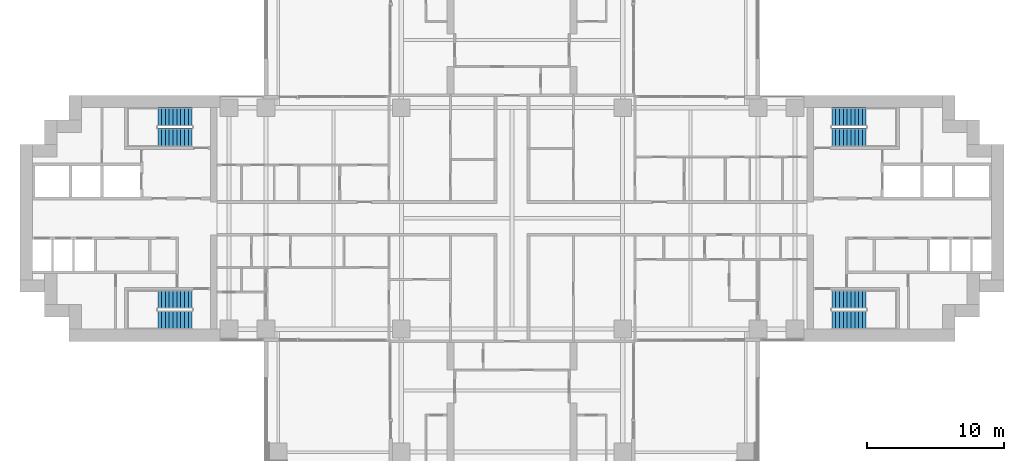
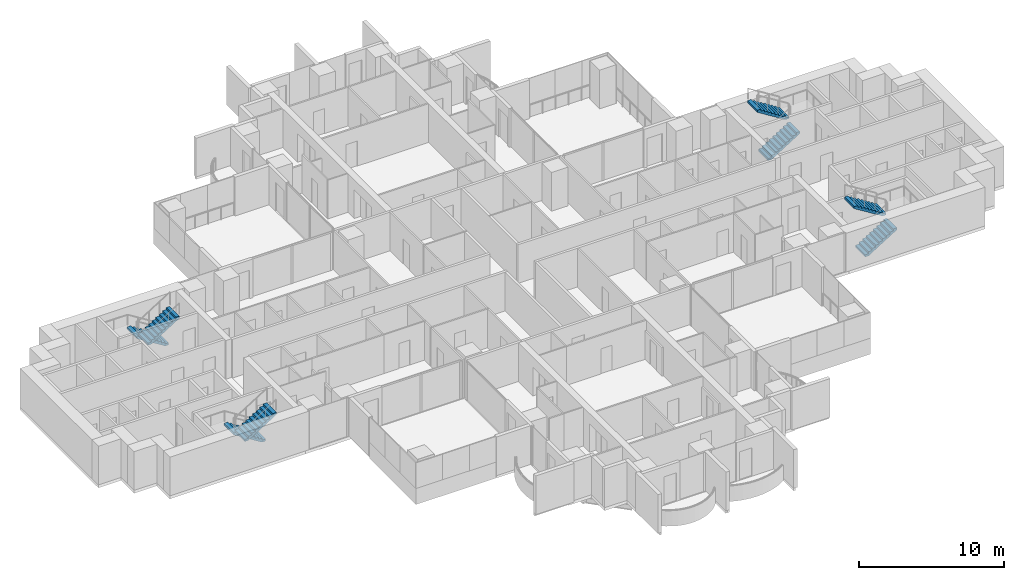
# One storey, part 17 of 21: 8 stair flights, 4 elements without a shape of their own.
"""IFC4 building model written with IfcOpenShell, lengths in metres."""

from ifc_helpers import new_model, si_unit, direction, frame, origin, place, context, subcontext, project, spatial, polyline, outline, extrude, material, type_object, element, aggregate, save


model = new_model("IFC4")

# Units and contexts
model_context = context("Model", 3, precision=1e-05, world=origin(), true_north=direction((0.0, 1.0)))
body_context = subcontext(model_context, "Body", "Model", "MODEL_VIEW")
ifc_project = project(units=[si_unit("LENGTHUNIT", "METRE"), si_unit("AREAUNIT", "SQUARE_METRE"), si_unit("VOLUMEUNIT", "CUBIC_METRE"), si_unit("PLANEANGLEUNIT", "RADIAN"), si_unit("MASSUNIT", "GRAM", prefix="KILO")], contexts=[model_context])

# Site, building, storey
site_placement = place(None, origin())
site = spatial("IfcSite", under=ifc_project, at=site_placement, CompositionType="ELEMENT")
building_placement = place(site_placement, origin())
building = spatial("IfcBuilding", under=site, at=building_placement, Name="Perihelion Cross Residences", CompositionType="ELEMENT")
storey_placement = place(building_placement, frame((0.0, 0.0, 57.5)))
storey = spatial("IfcBuildingStorey", under=building, at=storey_placement, Name="L11", CompositionType="ELEMENT", Elevation=57.5)

# Stair, stair flights
ifc_material_1 = material(Name="Concrete C40/50", Category="concrete")
stair_type = type_object("IfcStairType", Name="Exit stair, half-turn", PredefinedType="HALF_TURN_STAIR", material=ifc_material_1)
stair_1_placement = place(storey_placement, origin())
stair_1 = element("IfcStair", 1, at=stair_1_placement, inside=storey, type_object=stair_type, Name="L11 East core exit stair 1", PredefinedType="HALF_TURN_STAIR")
ifc_material_2 = material(Name="Concrete C40/50", Category="concrete")
stair_flight_type = type_object("IfcStairFlightType", Name="Exit stair flight", PredefinedType="STRAIGHT", material=ifc_material_2)
stair_flight_1_placement = place(storey_placement, frame((23.39990234375, 5.925048828125, 0.0), z_axis=(0.0, 0.0, 1.0), x_axis=(1.0, 0.0, 0.0)))
stair_flight_1 = element("IfcStairFlight", 2, at=stair_flight_1_placement, type_object=stair_flight_type, Name="ST-E1 flight 1", NumberOfRisers=10, NumberOfTreads=9, PredefinedType="STRAIGHT", RiserHeight=0.175, TreadLength=0.28, context=body_context, shape_type="SweptSolid", body=[
    extrude(outline(polyline([(0.0, 0.0), (0.0, 0.175048828125), (0.280029296875, 0.175048828125), (0.280029296875, 0.35009765625), (0.56005859375, 0.35009765625), (0.56005859375, 0.52490234375), (0.840087890625, 0.52490234375), (0.840087890625, 0.699951171875), (1.1201171875, 0.699951171875), (1.1201171875, 0.875), (1.39990234375, 0.875), (1.39990234375, 1.050048828125), (1.679931640625, 1.050048828125), (1.679931640625, 1.22509765625), (1.9599609375, 1.22509765625), (1.9599609375, 1.39990234375), (2.239990234375, 1.39990234375), (2.239990234375, 1.574951171875), (2.52001953125, 1.574951171875), (2.52001953125, 1.75), (2.52001953125, 1.398193359375), (0.28271484375, 0.0), (0.0, 0.0)])), frame((0.0, 0.675048828125, 0.0), z_axis=(0.0, -1.0, 0.0), x_axis=(1.0, 0.0, 0.0)), (0.0, 0.0, 1.0), 1.35009765625),
])
stair_flight_2_placement = place(storey_placement, frame((25.919921875, 7.425048828125, 1.75), z_axis=(0.0, 0.0, 1.0), x_axis=(-1.0, 0.0, 0.0)))
stair_flight_2 = element("IfcStairFlight", 3, at=stair_flight_2_placement, type_object=stair_flight_type, Name="ST-E1 flight 2", NumberOfRisers=10, NumberOfTreads=9, PredefinedType="STRAIGHT", RiserHeight=0.175, TreadLength=0.28, context=body_context, shape_type="SweptSolid", body=[
    extrude(outline(polyline([(0.0, 0.0), (0.0, 0.175048828125), (0.280029296875, 0.175048828125), (0.280029296875, 0.35009765625), (0.56005859375, 0.35009765625), (0.56005859375, 0.52490234375), (0.840087890625, 0.52490234375), (0.840087890625, 0.699951171875), (1.1201171875, 0.699951171875), (1.1201171875, 0.875), (1.39990234375, 0.875), (1.39990234375, 1.050048828125), (1.679931640625, 1.050048828125), (1.679931640625, 1.22509765625), (1.9599609375, 1.22509765625), (1.9599609375, 1.39990234375), (2.239990234375, 1.39990234375), (2.239990234375, 1.574951171875), (2.52001953125, 1.574951171875), (2.52001953125, 1.75), (2.52001953125, 1.398193359375), (0.28271484375, 0.0), (0.0, 0.0)])), frame((0.0, 0.675048828125, 0.0), z_axis=(0.0, -1.0, 0.0), x_axis=(1.0, 0.0, 0.0)), (0.0, 0.0, 1.0), 1.35009765625),
])
aggregate(stair_1, [stair_flight_1, stair_flight_2])

stair_2_placement = place(storey_placement, origin())
stair_2 = element("IfcStair", 4, at=stair_2_placement, inside=storey, type_object=stair_type, Name="L11 East core exit stair 2", PredefinedType="HALF_TURN_STAIR")
stair_flight_3_placement = place(storey_placement, frame((23.39990234375, -7.425048828125, 0.0), z_axis=(0.0, 0.0, 1.0), x_axis=(1.0, 0.0, 0.0)))
stair_flight_3 = element("IfcStairFlight", 5, at=stair_flight_3_placement, type_object=stair_flight_type, Name="ST-E2 flight 1", NumberOfRisers=10, NumberOfTreads=9, PredefinedType="STRAIGHT", RiserHeight=0.175, TreadLength=0.28, context=body_context, shape_type="SweptSolid", body=[
    extrude(outline(polyline([(0.0, 0.0), (0.0, 0.175048828125), (0.280029296875, 0.175048828125), (0.280029296875, 0.35009765625), (0.56005859375, 0.35009765625), (0.56005859375, 0.52490234375), (0.840087890625, 0.52490234375), (0.840087890625, 0.699951171875), (1.1201171875, 0.699951171875), (1.1201171875, 0.875), (1.39990234375, 0.875), (1.39990234375, 1.050048828125), (1.679931640625, 1.050048828125), (1.679931640625, 1.22509765625), (1.9599609375, 1.22509765625), (1.9599609375, 1.39990234375), (2.239990234375, 1.39990234375), (2.239990234375, 1.574951171875), (2.52001953125, 1.574951171875), (2.52001953125, 1.75), (2.52001953125, 1.398193359375), (0.28271484375, 0.0), (0.0, 0.0)])), frame((0.0, 0.675048828125, 0.0), z_axis=(0.0, -1.0, 0.0), x_axis=(1.0, 0.0, 0.0)), (0.0, 0.0, 1.0), 1.35009765625),
])
stair_flight_4_placement = place(storey_placement, frame((25.919921875, -5.925048828125, 1.75), z_axis=(0.0, 0.0, 1.0), x_axis=(-1.0, 0.0, 0.0)))
stair_flight_4 = element("IfcStairFlight", 6, at=stair_flight_4_placement, type_object=stair_flight_type, Name="ST-E2 flight 2", NumberOfRisers=10, NumberOfTreads=9, PredefinedType="STRAIGHT", RiserHeight=0.175, TreadLength=0.28, context=body_context, shape_type="SweptSolid", body=[
    extrude(outline(polyline([(0.0, 0.0), (0.0, 0.175048828125), (0.280029296875, 0.175048828125), (0.280029296875, 0.35009765625), (0.56005859375, 0.35009765625), (0.56005859375, 0.52490234375), (0.840087890625, 0.52490234375), (0.840087890625, 0.699951171875), (1.1201171875, 0.699951171875), (1.1201171875, 0.875), (1.39990234375, 0.875), (1.39990234375, 1.050048828125), (1.679931640625, 1.050048828125), (1.679931640625, 1.22509765625), (1.9599609375, 1.22509765625), (1.9599609375, 1.39990234375), (2.239990234375, 1.39990234375), (2.239990234375, 1.574951171875), (2.52001953125, 1.574951171875), (2.52001953125, 1.75), (2.52001953125, 1.398193359375), (0.28271484375, 0.0), (0.0, 0.0)])), frame((0.0, 0.675048828125, 0.0), z_axis=(0.0, -1.0, 0.0), x_axis=(1.0, 0.0, 0.0)), (0.0, 0.0, 1.0), 1.35009765625),
])
aggregate(stair_2, [stair_flight_3, stair_flight_4])

stair_3_placement = place(storey_placement, origin())
stair_3 = element("IfcStair", 7, at=stair_3_placement, inside=storey, type_object=stair_type, Name="L11 West core exit stair 1", PredefinedType="HALF_TURN_STAIR")
stair_flight_5_placement = place(storey_placement, frame((-23.39990234375, 7.425048828125, 0.0), z_axis=(0.0, 0.0, 1.0), x_axis=(-1.0, 0.0, 0.0)))
stair_flight_5 = element("IfcStairFlight", 8, at=stair_flight_5_placement, type_object=stair_flight_type, Name="ST-W1 flight 1", NumberOfRisers=10, NumberOfTreads=9, PredefinedType="STRAIGHT", RiserHeight=0.175, TreadLength=0.28, context=body_context, shape_type="SweptSolid", body=[
    extrude(outline(polyline([(0.0, 0.0), (0.0, 0.175048828125), (0.280029296875, 0.175048828125), (0.280029296875, 0.35009765625), (0.56005859375, 0.35009765625), (0.56005859375, 0.52490234375), (0.840087890625, 0.52490234375), (0.840087890625, 0.699951171875), (1.1201171875, 0.699951171875), (1.1201171875, 0.875), (1.39990234375, 0.875), (1.39990234375, 1.050048828125), (1.679931640625, 1.050048828125), (1.679931640625, 1.22509765625), (1.9599609375, 1.22509765625), (1.9599609375, 1.39990234375), (2.239990234375, 1.39990234375), (2.239990234375, 1.574951171875), (2.52001953125, 1.574951171875), (2.52001953125, 1.75), (2.52001953125, 1.398193359375), (0.28271484375, 0.0), (0.0, 0.0)])), frame((0.0, 0.675048828125, 0.0), z_axis=(0.0, -1.0, 0.0), x_axis=(1.0, 0.0, 0.0)), (0.0, 0.0, 1.0), 1.35009765625),
])
stair_flight_6_placement = place(storey_placement, frame((-25.919921875, 5.925048828125, 1.75), z_axis=(0.0, 0.0, 1.0), x_axis=(1.0, 0.0, 0.0)))
stair_flight_6 = element("IfcStairFlight", 9, at=stair_flight_6_placement, type_object=stair_flight_type, Name="ST-W1 flight 2", NumberOfRisers=10, NumberOfTreads=9, PredefinedType="STRAIGHT", RiserHeight=0.175, TreadLength=0.28, context=body_context, shape_type="SweptSolid", body=[
    extrude(outline(polyline([(0.0, 0.0), (0.0, 0.175048828125), (0.280029296875, 0.175048828125), (0.280029296875, 0.35009765625), (0.56005859375, 0.35009765625), (0.56005859375, 0.52490234375), (0.840087890625, 0.52490234375), (0.840087890625, 0.699951171875), (1.1201171875, 0.699951171875), (1.1201171875, 0.875), (1.39990234375, 0.875), (1.39990234375, 1.050048828125), (1.679931640625, 1.050048828125), (1.679931640625, 1.22509765625), (1.9599609375, 1.22509765625), (1.9599609375, 1.39990234375), (2.239990234375, 1.39990234375), (2.239990234375, 1.574951171875), (2.52001953125, 1.574951171875), (2.52001953125, 1.75), (2.52001953125, 1.398193359375), (0.28271484375, 0.0), (0.0, 0.0)])), frame((0.0, 0.675048828125, 0.0), z_axis=(0.0, -1.0, 0.0), x_axis=(1.0, 0.0, 0.0)), (0.0, 0.0, 1.0), 1.35009765625),
])
aggregate(stair_3, [stair_flight_5, stair_flight_6])

stair_4_placement = place(storey_placement, origin())
stair_4 = element("IfcStair", 10, at=stair_4_placement, inside=storey, type_object=stair_type, Name="L11 West core exit stair 2", PredefinedType="HALF_TURN_STAIR")
stair_flight_7_placement = place(storey_placement, frame((-23.39990234375, -5.925048828125, 0.0), z_axis=(0.0, 0.0, 1.0), x_axis=(-1.0, 0.0, 0.0)))
stair_flight_7 = element("IfcStairFlight", 11, at=stair_flight_7_placement, type_object=stair_flight_type, Name="ST-W2 flight 1", NumberOfRisers=10, NumberOfTreads=9, PredefinedType="STRAIGHT", RiserHeight=0.175, TreadLength=0.28, context=body_context, shape_type="SweptSolid", body=[
    extrude(outline(polyline([(0.0, 0.0), (0.0, 0.175048828125), (0.280029296875, 0.175048828125), (0.280029296875, 0.35009765625), (0.56005859375, 0.35009765625), (0.56005859375, 0.52490234375), (0.840087890625, 0.52490234375), (0.840087890625, 0.699951171875), (1.1201171875, 0.699951171875), (1.1201171875, 0.875), (1.39990234375, 0.875), (1.39990234375, 1.050048828125), (1.679931640625, 1.050048828125), (1.679931640625, 1.22509765625), (1.9599609375, 1.22509765625), (1.9599609375, 1.39990234375), (2.239990234375, 1.39990234375), (2.239990234375, 1.574951171875), (2.52001953125, 1.574951171875), (2.52001953125, 1.75), (2.52001953125, 1.398193359375), (0.28271484375, 0.0), (0.0, 0.0)])), frame((0.0, 0.675048828125, 0.0), z_axis=(0.0, -1.0, 0.0), x_axis=(1.0, 0.0, 0.0)), (0.0, 0.0, 1.0), 1.35009765625),
])
stair_flight_8_placement = place(storey_placement, frame((-25.919921875, -7.425048828125, 1.75), z_axis=(0.0, 0.0, 1.0), x_axis=(1.0, 0.0, 0.0)))
stair_flight_8 = element("IfcStairFlight", 12, at=stair_flight_8_placement, type_object=stair_flight_type, Name="ST-W2 flight 2", NumberOfRisers=10, NumberOfTreads=9, PredefinedType="STRAIGHT", RiserHeight=0.175, TreadLength=0.28, context=body_context, shape_type="SweptSolid", body=[
    extrude(outline(polyline([(0.0, 0.0), (0.0, 0.175048828125), (0.280029296875, 0.175048828125), (0.280029296875, 0.35009765625), (0.56005859375, 0.35009765625), (0.56005859375, 0.52490234375), (0.840087890625, 0.52490234375), (0.840087890625, 0.699951171875), (1.1201171875, 0.699951171875), (1.1201171875, 0.875), (1.39990234375, 0.875), (1.39990234375, 1.050048828125), (1.679931640625, 1.050048828125), (1.679931640625, 1.22509765625), (1.9599609375, 1.22509765625), (1.9599609375, 1.39990234375), (2.239990234375, 1.39990234375), (2.239990234375, 1.574951171875), (2.52001953125, 1.574951171875), (2.52001953125, 1.75), (2.52001953125, 1.398193359375), (0.28271484375, 0.0), (0.0, 0.0)])), frame((0.0, 0.675048828125, 0.0), z_axis=(0.0, -1.0, 0.0), x_axis=(1.0, 0.0, 0.0)), (0.0, 0.0, 1.0), 1.35009765625),
])
aggregate(stair_4, [stair_flight_7, stair_flight_8])

save(model, "model.ifc")
